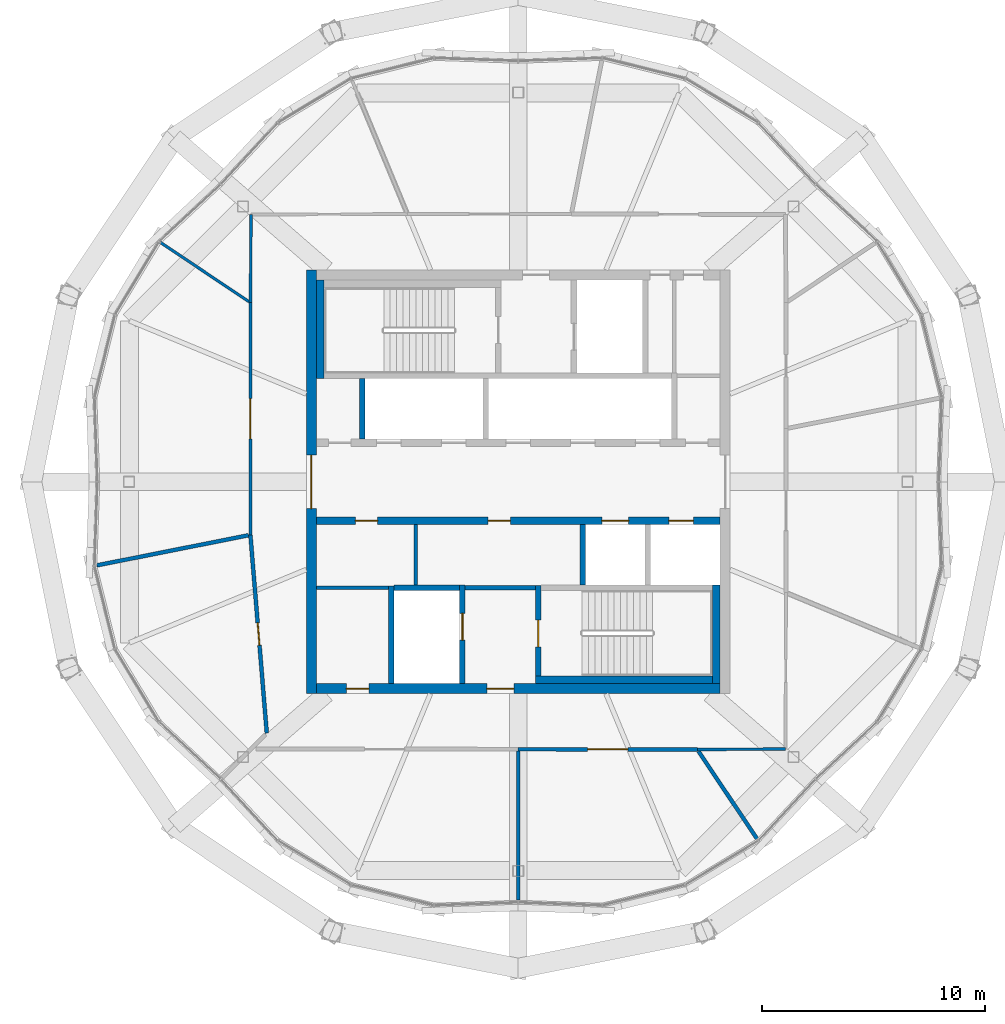
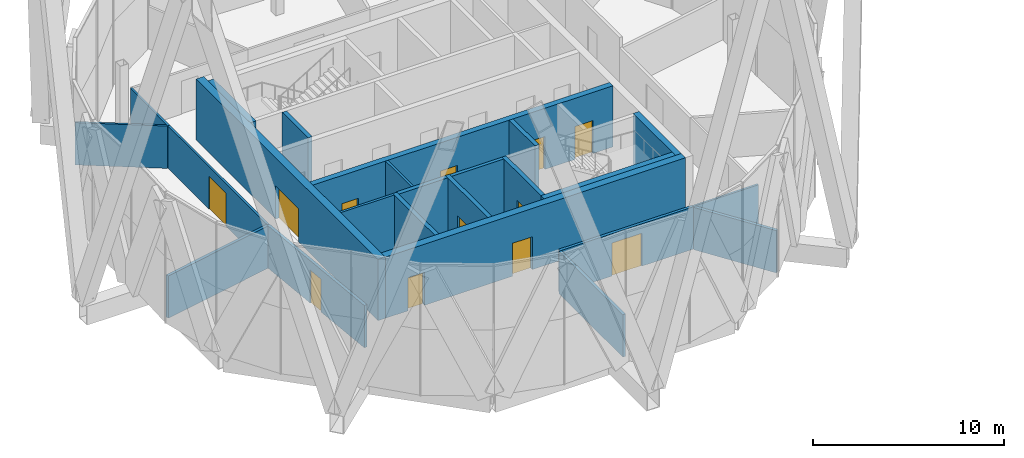
# One storey, part 30 of 38: 24 walls, 12 doors, 12 openings.
"""IFC4 building model written with IfcOpenShell, lengths in metres."""

import ifcopenshell
import ifcopenshell.guid

model = None  # the IFC model being written
_history = None  # IfcOwnerHistory: only IFC2X3 demands one
_inside = {}  # id of a spatial element -> (the spatial element, [elements in it])
_under = {}  # id of a project, library or spatial element -> (it, [spatial elements below it])
_declared = {}  # id of a project -> (the project, [libraries it declares])
_typed = {}  # id of a type object -> (the type object, [elements of that type])
_made_of = {}  # id of a material, layer set ... -> (it, [elements and type objects made of it])


def new_model(schema):
    """Start an empty IFC model of exactly this schema.

    Asked for "IFC4X3", IfcOpenShell would pick the latest addendum, in which some entities
    have other attributes; the version numbers below select the first issue.
    IFC2X3 requires an IfcOwnerHistory on every rooted entity: one is made here for all.
    """
    global model, _history
    if schema == "IFC4X3":
        model = ifcopenshell.file(schema_version=(4, 3, 0, 0))
    else:
        model = ifcopenshell.file(schema=schema)
    _inside.clear()
    _under.clear()
    _declared.clear()
    _typed.clear()
    _made_of.clear()
    _history = None
    if model.schema == "IFC2X3":
        org = make("IfcOrganization", Name="unknown")
        user = make(
            "IfcPersonAndOrganization",
            ThePerson=make("IfcPerson", FamilyName="unknown"),
            TheOrganization=org,
        )
        app = make(
            "IfcApplication",
            ApplicationDeveloper=org,
            Version="unknown",
            ApplicationFullName="unknown",
            ApplicationIdentifier="unknown",
        )
        _history = make(
            "IfcOwnerHistory",
            OwningUser=user,
            OwningApplication=app,
            ChangeAction="ADDED",
            CreationDate=0,
        )
    return model


def make(cls, **values):
    """One entity of the class cls with the attributes given. An attribute that is None is left unset."""
    return model.create_entity(
        cls, **{name: value for name, value in values.items() if value is not None}
    )


def rooted(cls, **values):
    """An entity with a GlobalId (a new one), such as an element, a storey or a relation."""
    return make(cls, GlobalId=ifcopenshell.guid.new(), OwnerHistory=_history, **values)


def si_unit(unit_type, name, prefix=None):
    """IfcSIUnit, for example si_unit("LENGTHUNIT", "METRE", prefix="MILLI")."""
    return make("IfcSIUnit", UnitType=unit_type, Prefix=prefix, Name=name)


def assignment(units):
    """IfcUnitAssignment: the units of a project."""
    return None if units is None else make("IfcUnitAssignment", Units=units)


def point(xyz):
    """IfcCartesianPoint."""
    return None if xyz is None else make("IfcCartesianPoint", Coordinates=xyz)


def direction(xyz):
    """IfcDirection."""
    return None if xyz is None else make("IfcDirection", DirectionRatios=xyz)


def frame(location, z_axis=None, x_axis=None):
    """IfcAxis2Placement3D, a coordinate frame: its origin and axes. An axis left out is left unset."""
    return make(
        "IfcAxis2Placement3D",
        Location=point(location),
        Axis=direction(z_axis),
        RefDirection=direction(x_axis),
    )


def frame_2d(location, x_axis=None):
    """IfcAxis2Placement2D, a coordinate frame in the plane: its origin and x axis."""
    return make(
        "IfcAxis2Placement2D", Location=point(location), RefDirection=direction(x_axis)
    )


def origin():
    """The frame at (0, 0, 0) with its axes left unset."""
    return frame((0.0, 0.0, 0.0))


def place(relative_to, where):
    """IfcLocalPlacement: puts the frame where relative to a parent placement (None: the world)."""
    return make(
        "IfcLocalPlacement", PlacementRelTo=relative_to, RelativePlacement=where
    )


def context(
    kind, dimensions, precision=None, world=None, true_north=None, identifier=None
):
    """IfcGeometricRepresentationContext, for example the 3D "Model" context."""
    return make(
        "IfcGeometricRepresentationContext",
        ContextIdentifier=identifier,
        ContextType=kind,
        CoordinateSpaceDimension=dimensions,
        Precision=precision,
        WorldCoordinateSystem=world,
        TrueNorth=true_north,
    )


def subcontext(parent, identifier, kind, view, scale=None):
    """IfcGeometricRepresentationSubContext, for example "Body" below "Model"."""
    return make(
        "IfcGeometricRepresentationSubContext",
        ContextIdentifier=identifier,
        ContextType=kind,
        ParentContext=parent,
        TargetScale=scale,
        TargetView=view,
    )


def project(units=None, contexts=None):
    """IfcProject with its units and contexts."""
    return rooted(
        "IfcProject",
        Name="project",
        RepresentationContexts=contexts,
        UnitsInContext=assignment(units),
    )


def spatial(cls, under=None, at=None, **own):
    """A site, building, storey or space (cls), placed at a placement, below another one or the project."""
    s = rooted(cls, ObjectPlacement=at, **own)
    if under is not None:
        _under.setdefault(under.id(), (under, []))[1].append(s)
    return s


def profile(cls, at=None, kind="AREA", **sizes):
    """A parametric profile (cls). Its sizes go by their IFC names, for example OverallWidth=200.0."""
    return make(cls, ProfileType=kind, Position=at, **sizes)


def rectangle(**sizes):
    """IfcRectangleProfileDef."""
    return profile("IfcRectangleProfileDef", **sizes)


def extrude(swept, where, along, depth):
    """IfcExtrudedAreaSolid: the profile swept, set in the frame where, extruded along a direction by depth."""
    return make(
        "IfcExtrudedAreaSolid",
        SweptArea=swept,
        Position=where,
        ExtrudedDirection=direction(along),
        Depth=depth,
    )


def shape(context_of_items, identifier, shape_type, items):
    """IfcShapeRepresentation: the items that make up one representation, for example the "Body"."""
    return make(
        "IfcShapeRepresentation",
        ContextOfItems=context_of_items,
        RepresentationIdentifier=identifier,
        RepresentationType=shape_type,
        Items=items,
    )


def material(Name=None, Category=None):
    """IfcMaterial."""
    return make("IfcMaterial", Name=Name, Category=Category)


def layer(
    of_material, thickness, ventilated=None, Name=None, Category=None, Priority=None
):
    """IfcMaterialLayer: one layer of a wall or slab, of a material (None: an air gap)."""
    return make(
        "IfcMaterialLayer",
        Material=of_material,
        LayerThickness=thickness,
        IsVentilated=ventilated,
        Name=Name,
        Category=Category,
        Priority=Priority,
    )


def layer_set(layers, Name=None):
    """IfcMaterialLayerSet."""
    return make("IfcMaterialLayerSet", MaterialLayers=layers, LayerSetName=Name)


def made_of(thing, what):
    """Note that an element or type object is made of a material, layer set ...; save() writes the relation."""
    if what is not None:
        _made_of.setdefault(what.id(), (what, []))[1].append(thing)
    return thing


def type_object(cls, material=None, **own):
    """A type object (cls), such as IfcWallType, which elements share."""
    return made_of(rooted(cls, **own), material)


def element(
    cls,
    number,
    at=None,
    inside=None,
    cuts=None,
    type_object=None,
    material=None,
    context=None,
    identifier="Body",
    shape_type=None,
    held_by="IfcProductDefinitionShape",
    body=None,
    shapes=None,
    **own,
):
    """One element of the class cls, such as IfcWall. Its Tag is "e" and its number.

    at: its placement. inside: the storey or other place that contains it. cuts: it is an
    opening in that element (IfcRelVoidsElement). A single representation is given by context,
    identifier, shape_type and body (its items); several are given by shapes. held_by: the class
    of the entity that holds the representations. save() writes the other relations.
    """
    e = rooted(cls, Tag="e%d" % number, ObjectPlacement=at, **own)
    if body is not None:
        shapes = [shape(context, identifier, shape_type, body)]
    if shapes is not None:
        e.Representation = make(held_by, Representations=shapes)
    if inside is not None:
        _inside.setdefault(inside.id(), (inside, []))[1].append(e)
    if cuts is not None:
        rooted(
            "IfcRelVoidsElement", RelatingBuildingElement=cuts, RelatedOpeningElement=e
        )
    if type_object is not None:
        _typed.setdefault(type_object.id(), (type_object, []))[1].append(e)
    return made_of(e, material)


def fill(opening, filler):
    """IfcRelFillsElement: the door or window that sits in an opening."""
    return rooted(
        "IfcRelFillsElement",
        RelatingOpeningElement=opening,
        RelatedBuildingElement=filler,
    )


def aggregate(whole, parts):
    """IfcRelAggregates: a whole, such as a stair, and the parts it consists of."""
    return rooted("IfcRelAggregates", RelatingObject=whole, RelatedObjects=parts)


def save(model, path):
    """Write the relations noted so far, then the file.

    IfcRelAggregates (storeys below a building ...), IfcRelContainedInSpatialStructure (elements
    in a storey), IfcRelDefinesByType, IfcRelAssociatesMaterial and IfcRelDeclares: one each for
    every whole, place, type object, material and project.
    """
    for whole, parts in _under.values():
        aggregate(whole, parts)
    for where, things in _inside.values():
        rooted(
            "IfcRelContainedInSpatialStructure",
            RelatedElements=things,
            RelatingStructure=where,
        )
    for kind, things in _typed.values():
        rooted("IfcRelDefinesByType", RelatedObjects=things, RelatingType=kind)
    for what, things in _made_of.values():
        rooted("IfcRelAssociatesMaterial", RelatedObjects=things, RelatingMaterial=what)
    for by, libraries in _declared.values():
        rooted("IfcRelDeclares", RelatingContext=by, RelatedDefinitions=libraries)
    model.write(path)


model = new_model("IFC4")

# Units and contexts
model_context = context("Model", 3, precision=1e-05, world=origin(), true_north=direction((0.0, 1.0)))
body_context = subcontext(model_context, "Body", "Model", "MODEL_VIEW")
ifc_project = project(units=[si_unit("LENGTHUNIT", "METRE"), si_unit("AREAUNIT", "SQUARE_METRE"), si_unit("VOLUMEUNIT", "CUBIC_METRE"), si_unit("PLANEANGLEUNIT", "RADIAN"), si_unit("MASSUNIT", "GRAM", prefix="KILO")], contexts=[model_context])

# Site, building, storey
site_placement = place(None, origin())
site = spatial("IfcSite", under=ifc_project, at=site_placement, CompositionType="ELEMENT")
building_placement = place(site_placement, origin())
building = spatial("IfcBuilding", under=site, at=building_placement, Name="Ogive Gate Towers", CompositionType="ELEMENT")
storey_placement = place(building_placement, frame((0.0, 0.0, 268.800048828125)))
storey = spatial("IfcBuildingStorey", under=building, at=storey_placement, Name="L63", CompositionType="ELEMENT", Elevation=268.800048828125)

# Walls
ifc_material_1 = material(Name="Gypsum board acoustic partition")
ifc_layer_1 = layer(ifc_material_1, 0.175048828125)
ifc_layer_set_1 = layer_set([ifc_layer_1], Name="Acoustic partition 175")
wall_type_1 = type_object("IfcWallType", Name="Acoustic partition 175", PredefinedType="PARTITIONING", material=ifc_layer_set_1)
wall_1_placement = place(storey_placement, frame((-54.89111328125, -3.748291015625, 0.0), z_axis=(0.0, 0.0, 1.0), x_axis=(0.980874890603, 0.194639279139, 0.0)))
element("IfcWall", 1, at=wall_1_placement, inside=storey, type_object=wall_type_1, Name="Partition T1-L63-006", PredefinedType="PARTITIONING", context=body_context, shape_type="SweptSolid", body=[
    extrude(rectangle(XDim=6.931396484375, YDim=0.175048828125, at=frame_2d((3.4658203125, 0.0))), origin(), (0.0, 0.0, 1.0), 2.699951171875),
])
wall_2_placement = place(storey_placement, frame((-36.0, -18.759033203125, 0.0), z_axis=(0.0, 0.0, 1.0), x_axis=(0.0, 1.0, 0.0)))
element("IfcWall", 2, at=wall_2_placement, inside=storey, type_object=wall_type_1, Name="Partition T1-L63-008", PredefinedType="PARTITIONING", context=body_context, shape_type="SweptSolid", body=[
    extrude(rectangle(XDim=6.681396484375, YDim=0.175048828125, at=frame_2d((3.3408203125, 0.0))), origin(), (0.0, 0.0, 1.0), 2.699951171875),
])
wall_3_placement = place(storey_placement, frame((-25.240478515625, -16.085693359375, 0.0), z_axis=(0.0, 0.0, 1.0), x_axis=(-0.555995786463, 0.831185109007, 0.0)))
element("IfcWall", 3, at=wall_3_placement, inside=storey, type_object=wall_type_1, Name="Partition T1-L63-009", PredefinedType="PARTITIONING", context=body_context, shape_type="SweptSolid", body=[
    extrude(rectangle(XDim=4.824462890625, YDim=0.175048828125, at=frame_2d((2.412109375, 0.0))), origin(), (0.0, 0.0, 1.0), 2.699951171875),
])

# Wall, opening, door
wall_4_placement = place(storey_placement, frame((-48.00634765625, -2.382080078125, 0.0), z_axis=(0.0, 0.0, 1.0), x_axis=(0.082415728916, -0.996598037138, 0.0)))
wall_4 = element("IfcWall", 4, at=wall_4_placement, inside=storey, type_object=wall_type_1, Name="Partition T1-L63-015", PredefinedType="PARTITIONING", context=body_context, shape_type="SweptSolid", body=[
    extrude(rectangle(XDim=8.91943359375, YDim=0.175048828125, at=frame_2d((4.459716796875, 0.0))), origin(), (0.0, 0.0, 1.0), 2.699951171875),
])
opening_1_placement = place(wall_4_placement, frame((3.9599609375, 0.0, 0.0)))
opening_1 = element("IfcOpeningElement", 5, at=opening_1_placement, cuts=wall_4, Name="Opening T1-L63-D04", PredefinedType="OPENING", context=body_context, shape_type="SweptSolid", body=[
    extrude(rectangle(XDim=1.0, YDim=2.10009765625, at=frame_2d((0.5, 1.050048828125))), frame((0.0, 0.09765625, 0.0), z_axis=(0.0, -1.0, 0.0), x_axis=(1.0, 0.0, 0.0)), (0.0, 0.0, 1.0), 0.195068359375),
])
ifc_material_2 = material(Name="Timber door", Category="wood")
door_type_1 = type_object("IfcDoorType", Name="Door 1000", OperationType="NOTDEFINED", PredefinedType="DOOR", material=ifc_material_2)
door_1_placement = place(opening_1_placement, origin())
door_1 = element("IfcDoor", 6, at=door_1_placement, inside=storey, type_object=door_type_1, Name="Door T1-L63-D04", OperationType="SINGLE_SWING_LEFT", OverallHeight=2.10009765625, OverallWidth=1.0, PredefinedType="DOOR", context=body_context, shape_type="SweptSolid", body=[
    extrude(rectangle(XDim=1.0, YDim=2.10009765625, at=frame_2d((0.5, 1.050048828125))), frame((0.0, 0.02490234375, 0.0), z_axis=(0.0, -1.0, 0.0), x_axis=(1.0, 0.0, 0.0)), (0.0, 0.0, 1.0), 0.050048828125),
])
fill(opening_1, door_1)

wall_5_placement = place(storey_placement, frame((-36.0, -11.989990234375, 0.0), z_axis=(0.0, 0.0, 1.0), x_axis=(0.999998701251, -0.001611674963, 0.0)))
wall_5 = element("IfcWall", 7, at=wall_5_placement, inside=storey, type_object=wall_type_1, Name="Partition T1-L63-017", PredefinedType="PARTITIONING", context=body_context, shape_type="SweptSolid", body=[
    extrude(rectangle(XDim=8.028564453125, YDim=0.175048828125, at=frame_2d((4.01416015625, 0.0))), origin(), (0.0, 0.0, 1.0), 2.699951171875),
])
opening_2_placement = place(wall_5_placement, frame((3.114013671875, 0.0, 0.0)))
opening_2 = element("IfcOpeningElement", 8, at=opening_2_placement, cuts=wall_5, Name="Opening T1-L63-D06", PredefinedType="OPENING", context=body_context, shape_type="SweptSolid", body=[
    extrude(rectangle(XDim=1.800048828125, YDim=2.10009765625, at=frame_2d((0.89990234375, 1.050048828125))), frame((0.0, 0.09765625, 0.0), z_axis=(0.0, -1.0, 0.0), x_axis=(1.0, 0.0, 0.0)), (0.0, 0.0, 1.0), 0.195068359375),
])
door_type_2 = type_object("IfcDoorType", Name="Door pair 1800", OperationType="NOTDEFINED", PredefinedType="DOOR", material=ifc_material_2)
door_2_placement = place(opening_2_placement, origin())
door_2 = element("IfcDoor", 9, at=door_2_placement, inside=storey, type_object=door_type_2, Name="Door T1-L63-D06", OperationType="DOUBLE_DOOR_DOUBLE_SWING", OverallHeight=2.10009765625, OverallWidth=1.800048828125, PredefinedType="DOOR", context=body_context, shape_type="SweptSolid", body=[
    extrude(rectangle(XDim=1.800048828125, YDim=2.10009765625, at=frame_2d((0.89990234375, 1.050048828125))), frame((0.0, 0.02490234375, 0.0), z_axis=(0.0, -1.0, 0.0), x_axis=(1.0, 0.0, 0.0)), (0.0, 0.0, 1.0), 0.050048828125),
])
fill(opening_2, door_2)

# Wall
ifc_material_3 = material(Name="Masonry blockwork", Category="masonry")
ifc_layer_2 = layer(ifc_material_3, 0.199951171875)
ifc_layer_set_2 = layer_set([ifc_layer_2], Name="Blockwork wall 200 mm")
wall_type_2 = type_object("IfcWallType", Name="Blockwork wall 200 mm", PredefinedType="PARTITIONING", material=ifc_layer_set_2)
wall_6_placement = place(storey_placement, frame((-38.375, -4.75, 0.0), z_axis=(0.0, 0.0, 1.0), x_axis=(1.0, 0.0, 0.0)))
element("IfcWall", 10, at=wall_6_placement, inside=storey, type_object=wall_type_2, Name="T1 L63 Blockwork wall 200 mm", PredefinedType="PARTITIONING", context=body_context, shape_type="SweptSolid", body=[
    extrude(rectangle(XDim=3.14990234375, YDim=0.199951171875, at=frame_2d((1.574951171875, 0.0))), origin(), (0.0, 0.0, 1.0), 3.89990234375),
])

# Wall, openings, doors
ifc_material_4 = material(Name="Concrete C60/75", Category="concrete")
ifc_layer_3 = layer(ifc_material_4, 0.449951171875)
ifc_layer_set_3 = layer_set([ifc_layer_3], Name="Core wall 450 mm")
wall_type_3 = type_object("IfcWallType", Name="Core wall 450 mm", PredefinedType="SHEAR", material=ifc_layer_set_3)
wall_7_placement = place(storey_placement, frame((-45.050048828125, -9.27490234375, 0.0), z_axis=(0.0, 0.0, 1.0), x_axis=(1.0, 0.0, 0.0)))
wall_7 = element("IfcWall", 11, at=wall_7_placement, inside=storey, type_object=wall_type_3, Name="T1 L63 Core wall 450 mm", PredefinedType="SHEAR", context=body_context, shape_type="SweptSolid", body=[
    extrude(rectangle(XDim=18.10009765625, YDim=0.449951171875, at=frame_2d((9.050048828125, 0.0))), origin(), (0.0, 0.0, 1.0), 3.89990234375),
])
opening_3_placement = place(wall_7_placement, frame((7.64990234375, 0.0, 0.0)))
opening_3 = element("IfcOpeningElement", 12, at=opening_3_placement, cuts=wall_7, Name="Opening KD-T1-L63-19", PredefinedType="OPENING", context=body_context, shape_type="SweptSolid", body=[
    extrude(rectangle(XDim=1.199951171875, YDim=2.10009765625, at=frame_2d((0.60009765625, 1.050048828125))), frame((0.0, 0.23486328125, 0.0), z_axis=(0.0, -1.0, 0.0), x_axis=(1.0, 0.0, 0.0)), (0.0, 0.0, 1.0), 0.469970703125),
])
opening_4_placement = place(wall_7_placement, frame((1.35009765625, 0.0, 0.0)))
opening_4 = element("IfcOpeningElement", 13, at=opening_4_placement, cuts=wall_7, Name="Opening KD-T1-L63-22", PredefinedType="OPENING", context=body_context, shape_type="SweptSolid", body=[
    extrude(rectangle(XDim=1.0, YDim=2.10009765625, at=frame_2d((0.5, 1.050048828125))), frame((0.0, 0.23486328125, 0.0), z_axis=(0.0, -1.0, 0.0), x_axis=(1.0, 0.0, 0.0)), (0.0, 0.0, 1.0), 0.469970703125),
])
door_type_3 = type_object("IfcDoorType", Name="Accessible WC door 1000 x 2100", OperationType="NOTDEFINED", PredefinedType="DOOR", material=ifc_material_2)
door_3_placement = place(opening_4_placement, origin())
door_3 = element("IfcDoor", 14, at=door_3_placement, inside=storey, type_object=door_type_3, Name="T1 L63 Core door", OperationType="SINGLE_SWING_LEFT", OverallHeight=2.10009765625, OverallWidth=1.0, PredefinedType="DOOR", context=body_context, shape_type="SweptSolid", body=[
    extrude(rectangle(XDim=1.0, YDim=2.10009765625, at=frame_2d((0.5, 1.050048828125))), frame((0.0, 0.02490234375, 0.0), z_axis=(0.0, -1.0, 0.0), x_axis=(1.0, 0.0, 0.0)), (0.0, 0.0, 1.0), 0.050048828125),
])
fill(opening_4, door_3)
ifc_material_5 = material(Name="Steel fire door", Category="steel")
door_type_4 = type_object("IfcDoorType", Name="Core door FD60S 1200 x 2100", OperationType="NOTDEFINED", PredefinedType="DOOR", material=ifc_material_5)
door_4_placement = place(opening_3_placement, origin())
door_4 = element("IfcDoor", 15, at=door_4_placement, inside=storey, type_object=door_type_4, Name="T1 L63 Fire-fighting lobby door", OperationType="SINGLE_SWING_RIGHT", OverallHeight=2.10009765625, OverallWidth=1.199951171875, PredefinedType="DOOR", context=body_context, shape_type="SweptSolid", body=[
    extrude(rectangle(XDim=1.199951171875, YDim=2.10009765625, at=frame_2d((0.60009765625, 1.050048828125))), frame((0.0, 0.02490234375, 0.0), z_axis=(0.0, -1.0, 0.0), x_axis=(1.0, 0.0, 0.0)), (0.0, 0.0, 1.0), 0.050048828125),
])
fill(opening_3, door_4)

# Wall, opening, door
wall_8_placement = place(storey_placement, frame((-45.27490234375, -9.5, 0.0), z_axis=(0.0, 0.0, 1.0), x_axis=(0.0, 1.0, 0.0)))
wall_8 = element("IfcWall", 16, at=wall_8_placement, inside=storey, type_object=wall_type_3, Name="T1 L63 Core wall 450 mm", PredefinedType="SHEAR", context=body_context, shape_type="SweptSolid", body=[
    extrude(rectangle(XDim=19.0, YDim=0.449951171875, at=frame_2d((9.5, 0.0))), origin(), (0.0, 0.0, 1.0), 3.89990234375),
])
opening_5_placement = place(wall_8_placement, frame((8.300048828125, 0.0, 0.0)))
opening_5 = element("IfcOpeningElement", 17, at=opening_5_placement, cuts=wall_8, Name="Opening KD-T1-L63-01", PredefinedType="OPENING", context=body_context, shape_type="SweptSolid", body=[
    extrude(rectangle(XDim=2.39990234375, YDim=2.10009765625, at=frame_2d((1.199951171875, 1.050048828125))), frame((0.0, 0.23486328125, 0.0), z_axis=(0.0, -1.0, 0.0), x_axis=(1.0, 0.0, 0.0)), (0.0, 0.0, 1.0), 0.469970703125),
])
door_type_5 = type_object("IfcDoorType", Name="Core double door FD60S 2400 x 2100", OperationType="DOUBLE_DOOR_SINGLE_SWING", PredefinedType="DOOR", material=ifc_material_5)
door_5_placement = place(opening_5_placement, origin())
door_5 = element("IfcDoor", 18, at=door_5_placement, inside=storey, type_object=door_type_5, Name="T1 L63 Core door double", OperationType="DOUBLE_DOOR_SINGLE_SWING", OverallHeight=2.10009765625, OverallWidth=2.39990234375, PredefinedType="DOOR", context=body_context, shape_type="SweptSolid", body=[
    extrude(rectangle(XDim=2.39990234375, YDim=2.10009765625, at=frame_2d((1.199951171875, 1.050048828125))), frame((0.0, 0.02490234375, 0.0), z_axis=(0.0, -1.0, 0.0), x_axis=(1.0, 0.0, 0.0)), (0.0, 0.0, 1.0), 0.050048828125),
])
fill(opening_5, door_5)

# Walls
ifc_material_6 = material(Name="Gypsum board partition")
ifc_layer_4 = layer(ifc_material_6, 0.125)
ifc_layer_set_4 = layer_set([ifc_layer_4], Name="Partition 125")
wall_type_4 = type_object("IfcWallType", Name="Partition 125", PredefinedType="PARTITIONING", material=ifc_layer_set_4)
wall_9_placement = place(storey_placement, frame((-52.085693359375, 10.759521484375, 0.0), z_axis=(0.0, 0.0, 1.0), x_axis=(0.831181808576, -0.556000720407, 0.0)))
element("IfcWall", 19, at=wall_9_placement, inside=storey, type_object=wall_type_4, Name="Partition T1-L63-005", PredefinedType="PARTITIONING", context=body_context, shape_type="SweptSolid", body=[
    extrude(rectangle(XDim=4.849365234375, YDim=0.125, at=frame_2d((2.4248046875, 0.0))), origin(), (0.0, 0.0, 1.0), 2.699951171875),
])
wall_10_placement = place(storey_placement, frame((-47.97998046875, 11.97998046875, 0.0), z_axis=(0.0, 0.0, 1.0), x_axis=(-0.005807748822, -0.999983134885, 0.0)))
element("IfcWall", 20, at=wall_10_placement, inside=storey, type_object=wall_type_4, Name="Partition T1-L63-013", PredefinedType="PARTITIONING", context=body_context, shape_type="SweptSolid", body=[
    extrude(rectangle(XDim=3.951416015625, YDim=0.125, at=frame_2d((1.9755859375, 0.0))), origin(), (0.0, 0.0, 1.0), 2.699951171875),
])

# Wall, opening, door
wall_11_placement = place(storey_placement, frame((-48.0029296875, 8.028564453125, 0.0), z_axis=(0.0, 0.0, 1.0), x_axis=(-0.000328314789, -0.999999946105, 0.0)))
wall_11 = element("IfcWall", 21, at=wall_11_placement, inside=storey, type_object=wall_type_4, Name="Partition T1-L63-014", PredefinedType="PARTITIONING", context=body_context, shape_type="SweptSolid", body=[
    extrude(rectangle(XDim=10.41064453125, YDim=0.125, at=frame_2d((5.205322265625, 0.0))), origin(), (0.0, 0.0, 1.0), 2.699951171875),
])
opening_6_placement = place(wall_11_placement, frame((4.304931640625, 0.0, 0.0)))
opening_6 = element("IfcOpeningElement", 22, at=opening_6_placement, cuts=wall_11, Name="Opening T1-L63-D03", PredefinedType="OPENING", context=body_context, shape_type="SweptSolid", body=[
    extrude(rectangle(XDim=1.800048828125, YDim=2.10009765625, at=frame_2d((0.89990234375, 1.050048828125))), frame((0.0, 0.072509765625, 0.0), z_axis=(0.0, -1.0, 0.0), x_axis=(1.0, 0.0, 0.0)), (0.0, 0.0, 1.0), 0.14501953125),
])
door_6_placement = place(opening_6_placement, origin())
door_6 = element("IfcDoor", 23, at=door_6_placement, inside=storey, type_object=door_type_2, Name="Door T1-L63-D03", OperationType="DOUBLE_DOOR_DOUBLE_SWING", OverallHeight=2.10009765625, OverallWidth=1.800048828125, PredefinedType="DOOR", context=body_context, shape_type="SweptSolid", body=[
    extrude(rectangle(XDim=1.800048828125, YDim=2.10009765625, at=frame_2d((0.89990234375, 1.050048828125))), frame((0.0, 0.02490234375, 0.0), z_axis=(0.0, -1.0, 0.0), x_axis=(1.0, 0.0, 0.0)), (0.0, 0.0, 1.0), 0.050048828125),
])
fill(opening_6, door_6)

# Walls
wall_12_placement = place(storey_placement, frame((-27.971435546875, -12.0029296875, 0.0), z_axis=(0.0, 0.0, 1.0), x_axis=(0.999983134885, 0.005807748822, 0.0)))
element("IfcWall", 24, at=wall_12_placement, inside=storey, type_object=wall_type_4, Name="Partition T1-L63-019", PredefinedType="PARTITIONING", context=body_context, shape_type="SweptSolid", body=[
    extrude(rectangle(XDim=3.951416015625, YDim=0.125, at=frame_2d((1.9755859375, 0.0))), origin(), (0.0, 0.0, 1.0), 2.699951171875),
])
ifc_layer_5 = layer(ifc_material_6, 0.14990234375)
ifc_layer_set_5 = layer_set([ifc_layer_5], Name="Room partition 150 mm")
wall_type_5 = type_object("IfcWallType", Name="Room partition 150 mm", PredefinedType="PARTITIONING", material=ifc_layer_set_5)
wall_13_placement = place(storey_placement, frame((-45.050048828125, -4.75, 0.0), z_axis=(0.0, 0.0, 1.0), x_axis=(1.0, 0.0, 0.0)))
element("IfcWall", 25, at=wall_13_placement, inside=storey, type_object=wall_type_5, Name="T1 L63 Room partition 150 mm", PredefinedType="PARTITIONING", context=body_context, shape_type="SweptSolid", body=[
    extrude(rectangle(XDim=3.22509765625, YDim=0.14990234375, at=frame_2d((1.612548828125, 0.0))), origin(), (0.0, 0.0, 1.0), 3.89990234375),
])
wall_14_placement = place(storey_placement, frame((-40.60009765625, -4.625, 0.0), z_axis=(0.0, 0.0, 1.0), x_axis=(0.0, 1.0, 0.0)))
element("IfcWall", 26, at=wall_14_placement, inside=storey, type_object=wall_type_5, Name="T1 L63 Room partition 150 mm", PredefinedType="PARTITIONING", context=body_context, shape_type="SweptSolid", body=[
    extrude(rectangle(XDim=2.699951171875, YDim=0.14990234375, at=frame_2d((1.35009765625, 0.0))), origin(), (0.0, 0.0, 1.0), 3.89990234375),
])
ifc_layer_6 = layer(ifc_material_4, 0.25)
ifc_layer_set_6 = layer_set([ifc_layer_6], Name="Shaft wall 250 mm")
wall_type_6 = type_object("IfcWallType", Name="Shaft wall 250 mm", PredefinedType="SHEAR", material=ifc_layer_set_6)
wall_15_placement = place(storey_placement, frame((-41.574951171875, -4.75, 0.0), z_axis=(0.0, 0.0, 1.0), x_axis=(1.0, 0.0, 0.0)))
element("IfcWall", 27, at=wall_15_placement, inside=storey, type_object=wall_type_6, Name="T1 L63 Shaft wall 250 mm", PredefinedType="SHEAR", context=body_context, shape_type="SweptSolid", body=[
    extrude(rectangle(XDim=2.949951171875, YDim=0.25, at=frame_2d((1.47509765625, 0.0))), origin(), (0.0, 0.0, 1.0), 3.89990234375),
])
wall_16_placement = place(storey_placement, frame((-43.0, 1.925048828125, 0.0), z_axis=(0.0, 0.0, 1.0), x_axis=(0.0, 1.0, 0.0)))
element("IfcWall", 28, at=wall_16_placement, inside=storey, type_object=wall_type_6, Name="T1 L63 Shaft wall 250 mm", PredefinedType="SHEAR", context=body_context, shape_type="SweptSolid", body=[
    extrude(rectangle(XDim=2.699951171875, YDim=0.25, at=frame_2d((1.35009765625, 0.0))), origin(), (0.0, 0.0, 1.0), 3.89990234375),
])
wall_17_placement = place(storey_placement, frame((-41.699951171875, -9.050048828125, 0.0), z_axis=(0.0, 0.0, 1.0), x_axis=(0.0, 1.0, 0.0)))
element("IfcWall", 29, at=wall_17_placement, inside=storey, type_object=wall_type_6, Name="T1 L63 Shaft wall 250 mm", PredefinedType="SHEAR", context=body_context, shape_type="SweptSolid", body=[
    extrude(rectangle(XDim=4.375, YDim=0.25, at=frame_2d((2.1875, 0.0))), origin(), (0.0, 0.0, 1.0), 3.89990234375),
])

# Wall, opening, door
wall_18_placement = place(storey_placement, frame((-38.5, -9.050048828125, 0.0), z_axis=(0.0, 0.0, 1.0), x_axis=(0.0, 1.0, 0.0)))
wall_18 = element("IfcWall", 30, at=wall_18_placement, inside=storey, type_object=wall_type_6, Name="T1 L63 Shaft wall 250 mm", PredefinedType="SHEAR", context=body_context, shape_type="SweptSolid", body=[
    extrude(rectangle(XDim=4.425048828125, YDim=0.25, at=frame_2d((2.21240234375, 0.0))), origin(), (0.0, 0.0, 1.0), 3.89990234375),
])
opening_7_placement = place(wall_18_placement, frame((1.949951171875, 0.0, 0.0)))
opening_7 = element("IfcOpeningElement", 31, at=opening_7_placement, cuts=wall_18, Name="Opening LD-T1-L63-13", PredefinedType="OPENING", context=body_context, shape_type="SweptSolid", body=[
    extrude(rectangle(XDim=1.199951171875, YDim=2.10009765625, at=frame_2d((0.60009765625, 1.050048828125))), frame((0.0, 0.135009765625, 0.0), z_axis=(0.0, -1.0, 0.0), x_axis=(1.0, 0.0, 0.0)), (0.0, 0.0, 1.0), 0.27001953125),
])
ifc_material_7 = material(Name="Stainless steel landing door", Category="steel")
door_type_6 = type_object("IfcDoorType", Name="Landing door 1200 x 2100", OperationType="SLIDING_TO_LEFT", PredefinedType="DOOR", material=ifc_material_7)
door_7_placement = place(opening_7_placement, origin())
door_7 = element("IfcDoor", 32, at=door_7_placement, inside=storey, type_object=door_type_6, Name="T1 L63 Lift landing door FF2", OperationType="SLIDING_TO_LEFT", OverallHeight=2.10009765625, OverallWidth=1.199951171875, PredefinedType="DOOR", context=body_context, shape_type="SweptSolid", body=[
    extrude(rectangle(XDim=1.199951171875, YDim=2.10009765625, at=frame_2d((0.60009765625, 1.050048828125))), frame((0.0, 0.02490234375, 0.0), z_axis=(0.0, -1.0, 0.0), x_axis=(1.0, 0.0, 0.0)), (0.0, 0.0, 1.0), 0.050048828125),
])
fill(opening_7, door_7)

wall_19_placement = place(storey_placement, frame((-35.10009765625, -8.699951171875, 0.0), z_axis=(0.0, 0.0, 1.0), x_axis=(0.0, 1.0, 0.0)))
wall_19 = element("IfcWall", 33, at=wall_19_placement, inside=storey, type_object=wall_type_6, Name="T1 L63 Shaft wall 250 mm", PredefinedType="SHEAR", context=body_context, shape_type="SweptSolid", body=[
    extrude(rectangle(XDim=4.050048828125, YDim=0.25, at=frame_2d((2.02490234375, 0.0))), origin(), (0.0, 0.0, 1.0), 3.89990234375),
])
opening_8_placement = place(wall_19_placement, frame((1.300048828125, 0.0, 0.0)))
opening_8 = element("IfcOpeningElement", 34, at=opening_8_placement, cuts=wall_19, Name="Opening KD-T1-L63-17", PredefinedType="OPENING", context=body_context, shape_type="SweptSolid", body=[
    extrude(rectangle(XDim=1.199951171875, YDim=2.10009765625, at=frame_2d((0.60009765625, 1.050048828125))), frame((0.0, 0.135009765625, 0.0), z_axis=(0.0, -1.0, 0.0), x_axis=(1.0, 0.0, 0.0)), (0.0, 0.0, 1.0), 0.27001953125),
])
door_8_placement = place(opening_8_placement, origin())
door_8 = element("IfcDoor", 35, at=door_8_placement, inside=storey, type_object=door_type_4, Name="T1 L63 Stair door", OperationType="SINGLE_SWING_RIGHT", OverallHeight=2.10009765625, OverallWidth=1.199951171875, PredefinedType="DOOR", context=body_context, shape_type="SweptSolid", body=[
    extrude(rectangle(XDim=1.199951171875, YDim=2.10009765625, at=frame_2d((0.60009765625, 1.050048828125))), frame((0.0, 0.02490234375, 0.0), z_axis=(0.0, -1.0, 0.0), x_axis=(1.0, 0.0, 0.0)), (0.0, 0.0, 1.0), 0.050048828125),
])
fill(opening_8, door_8)

# Wall
wall_20_placement = place(storey_placement, frame((-33.10009765625, -4.625, 0.0), z_axis=(0.0, 0.0, 1.0), x_axis=(0.0, 1.0, 0.0)))
element("IfcWall", 36, at=wall_20_placement, inside=storey, type_object=wall_type_6, Name="T1 L63 Shaft wall 250 mm", PredefinedType="SHEAR", context=body_context, shape_type="SweptSolid", body=[
    extrude(rectangle(XDim=2.699951171875, YDim=0.25, at=frame_2d((1.35009765625, 0.0))), origin(), (0.0, 0.0, 1.0), 3.89990234375),
])

# Wall, openings, doors
ifc_layer_7 = layer(ifc_material_4, 0.35009765625)
ifc_layer_set_7 = layer_set([ifc_layer_7], Name="Spine wall 350 mm")
wall_type_7 = type_object("IfcWallType", Name="Spine wall 350 mm", PredefinedType="SHEAR", material=ifc_layer_set_7)
wall_21_placement = place(storey_placement, frame((-45.050048828125, -1.75, 0.0), z_axis=(0.0, 0.0, 1.0), x_axis=(1.0, 0.0, 0.0)))
wall_21 = element("IfcWall", 37, at=wall_21_placement, inside=storey, type_object=wall_type_7, Name="T1 L63 Spine wall 350 mm", PredefinedType="SHEAR", context=body_context, shape_type="SweptSolid", body=[
    extrude(rectangle(XDim=18.10009765625, YDim=0.35009765625, at=frame_2d((9.050048828125, 0.0))), origin(), (0.0, 0.0, 1.0), 3.89990234375),
])
opening_9_placement = place(wall_21_placement, frame((12.800048828125, 0.0, 0.0)))
opening_9 = element("IfcOpeningElement", 38, at=opening_9_placement, cuts=wall_21, Name="Opening LD-T1-L63-10", PredefinedType="OPENING", context=body_context, shape_type="SweptSolid", body=[
    extrude(rectangle(XDim=1.199951171875, YDim=2.10009765625, at=frame_2d((0.60009765625, 1.050048828125))), frame((0.0, 0.18505859375, 0.0), z_axis=(0.0, -1.0, 0.0), x_axis=(1.0, 0.0, 0.0)), (0.0, 0.0, 1.0), 0.3701171875),
])
opening_10_placement = place(wall_21_placement, frame((15.800048828125, 0.0, 0.0)))
opening_10 = element("IfcOpeningElement", 39, at=opening_10_placement, cuts=wall_21, Name="Opening LD-T1-L63-11", PredefinedType="OPENING", context=body_context, shape_type="SweptSolid", body=[
    extrude(rectangle(XDim=1.10009765625, YDim=2.10009765625, at=frame_2d((0.550048828125, 1.050048828125))), frame((0.0, 0.18505859375, 0.0), z_axis=(0.0, -1.0, 0.0), x_axis=(1.0, 0.0, 0.0)), (0.0, 0.0, 1.0), 0.3701171875),
])
opening_11_placement = place(wall_21_placement, frame((1.75, 0.0, 0.0)))
opening_11 = element("IfcOpeningElement", 40, at=opening_11_placement, cuts=wall_21, Name="Opening KD-T1-L63-14", PredefinedType="OPENING", context=body_context, shape_type="SweptSolid", body=[
    extrude(rectangle(XDim=1.0, YDim=2.10009765625, at=frame_2d((0.5, 1.050048828125))), frame((0.0, 0.18505859375, 0.0), z_axis=(0.0, -1.0, 0.0), x_axis=(1.0, 0.0, 0.0)), (0.0, 0.0, 1.0), 0.3701171875),
])
opening_12_placement = place(wall_21_placement, frame((7.699951171875, 0.0, 0.0)))
opening_12 = element("IfcOpeningElement", 41, at=opening_12_placement, cuts=wall_21, Name="Opening KD-T1-L63-15", PredefinedType="OPENING", context=body_context, shape_type="SweptSolid", body=[
    extrude(rectangle(XDim=1.0, YDim=2.10009765625, at=frame_2d((0.5, 1.050048828125))), frame((0.0, 0.18505859375, 0.0), z_axis=(0.0, -1.0, 0.0), x_axis=(1.0, 0.0, 0.0)), (0.0, 0.0, 1.0), 0.3701171875),
])
door_type_7 = type_object("IfcDoorType", Name="Core door FD60S 1000 x 2100", OperationType="NOTDEFINED", PredefinedType="DOOR", material=ifc_material_5)
door_9_placement = place(opening_11_placement, origin())
door_9 = element("IfcDoor", 42, at=door_9_placement, inside=storey, type_object=door_type_7, Name="T1 L63 Core door", OperationType="SINGLE_SWING_LEFT", OverallHeight=2.10009765625, OverallWidth=1.0, PredefinedType="DOOR", context=body_context, shape_type="SweptSolid", body=[
    extrude(rectangle(XDim=1.0, YDim=2.10009765625, at=frame_2d((0.5, 1.050048828125))), frame((0.0, 0.02490234375, 0.0), z_axis=(0.0, -1.0, 0.0), x_axis=(1.0, 0.0, 0.0)), (0.0, 0.0, 1.0), 0.050048828125),
])
fill(opening_11, door_9)
door_10_placement = place(opening_12_placement, origin())
door_10 = element("IfcDoor", 43, at=door_10_placement, inside=storey, type_object=door_type_7, Name="T1 L63 Core door", OperationType="SINGLE_SWING_RIGHT", OverallHeight=2.10009765625, OverallWidth=1.0, PredefinedType="DOOR", context=body_context, shape_type="SweptSolid", body=[
    extrude(rectangle(XDim=1.0, YDim=2.10009765625, at=frame_2d((0.5, 1.050048828125))), frame((0.0, 0.02490234375, 0.0), z_axis=(0.0, -1.0, 0.0), x_axis=(1.0, 0.0, 0.0)), (0.0, 0.0, 1.0), 0.050048828125),
])
fill(opening_12, door_10)
door_type_8 = type_object("IfcDoorType", Name="Landing door 1100 x 2100", OperationType="SLIDING_TO_LEFT", PredefinedType="DOOR", material=ifc_material_7)
door_11_placement = place(opening_10_placement, origin())
door_11 = element("IfcDoor", 44, at=door_11_placement, inside=storey, type_object=door_type_8, Name="T1 L63 Lift landing door B6", OperationType="SLIDING_TO_LEFT", OverallHeight=2.10009765625, OverallWidth=1.10009765625, PredefinedType="DOOR", context=body_context, shape_type="SweptSolid", body=[
    extrude(rectangle(XDim=1.10009765625, YDim=2.10009765625, at=frame_2d((0.550048828125, 1.050048828125))), frame((0.0, 0.02490234375, 0.0), z_axis=(0.0, -1.0, 0.0), x_axis=(1.0, 0.0, 0.0)), (0.0, 0.0, 1.0), 0.050048828125),
])
fill(opening_10, door_11)
door_12_placement = place(opening_9_placement, origin())
door_12 = element("IfcDoor", 45, at=door_12_placement, inside=storey, type_object=door_type_6, Name="T1 L63 Lift landing door SVC", OperationType="SLIDING_TO_LEFT", OverallHeight=2.10009765625, OverallWidth=1.199951171875, PredefinedType="DOOR", context=body_context, shape_type="SweptSolid", body=[
    extrude(rectangle(XDim=1.199951171875, YDim=2.10009765625, at=frame_2d((0.60009765625, 1.050048828125))), frame((0.0, 0.02490234375, 0.0), z_axis=(0.0, -1.0, 0.0), x_axis=(1.0, 0.0, 0.0)), (0.0, 0.0, 1.0), 0.050048828125),
])
fill(opening_9, door_12)

# Walls
ifc_layer_8 = layer(ifc_material_4, 0.35009765625)
ifc_layer_set_8 = layer_set([ifc_layer_8], Name="Stair wall 350 mm")
wall_type_8 = type_object("IfcWallType", Name="Stair wall 350 mm", PredefinedType="SHEAR", material=ifc_layer_set_8)
wall_22_placement = place(storey_placement, frame((-35.22509765625, -8.875, 0.0), z_axis=(0.0, 0.0, 1.0), x_axis=(1.0, 0.0, 0.0)))
element("IfcWall", 46, at=wall_22_placement, inside=storey, type_object=wall_type_8, Name="T1 L63 Stair wall 350 mm", PredefinedType="SHEAR", context=body_context, shape_type="SweptSolid", body=[
    extrude(rectangle(XDim=7.925048828125, YDim=0.35009765625, at=frame_2d((3.96240234375, 0.0))), origin(), (0.0, 0.0, 1.0), 3.89990234375),
])
for number, where, z_axis, x_axis, name in (
    (47, (-44.875, 4.625, 0.0), (0.0, 0.0, 1.0), (0.0, 1.0, 0.0), "T1 L63 Stair wall 350 mm"),
    (48, (-27.125, -9.050048828125, 0.0), (0.0, 0.0, 1.0), (0.0, 1.0, 0.0), "T1 L63 Stair wall 350 mm"),
):
    element("IfcWall", number, at=place(storey_placement, frame(where, z_axis=z_axis, x_axis=x_axis)), inside=storey, type_object=wall_type_8, Name=name, PredefinedType="SHEAR", context=body_context, shape_type="SweptSolid", body=[
        extrude(rectangle(XDim=4.425048828125, YDim=0.35009765625, at=frame_2d((2.21240234375, 0.0))), origin(), (0.0, 0.0, 1.0), 3.89990234375),
    ])

save(model, "model.ifc")
